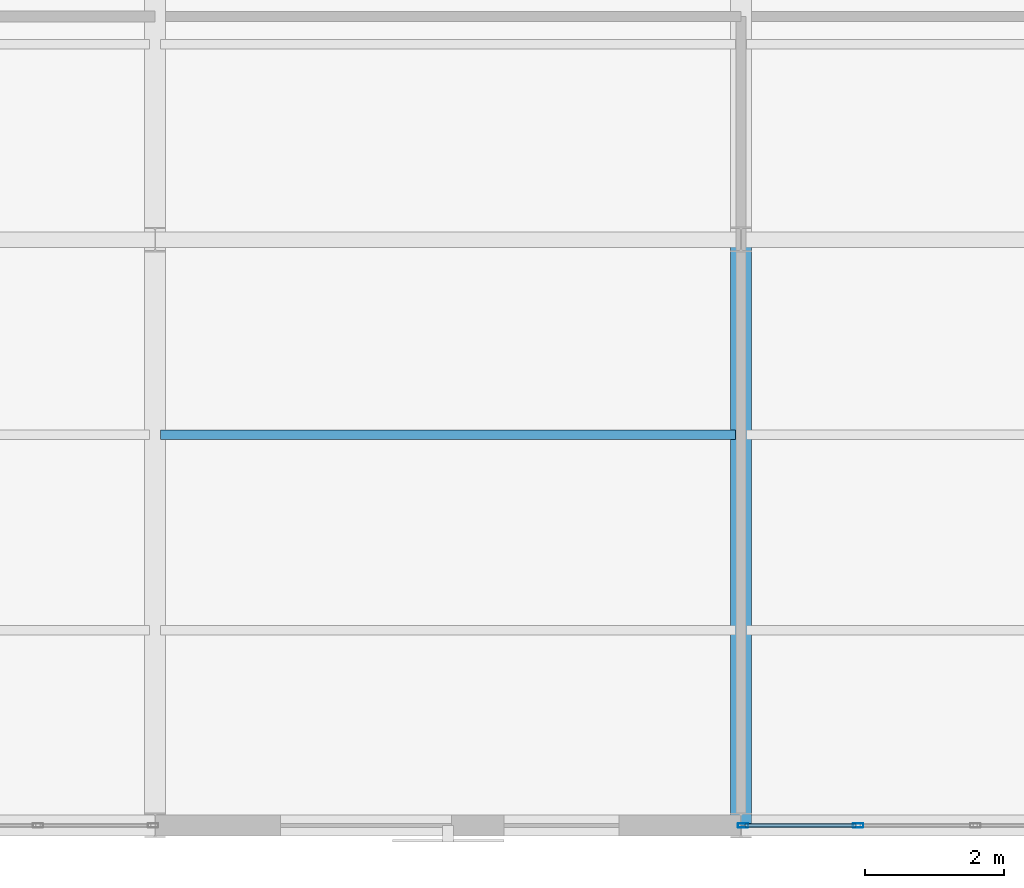
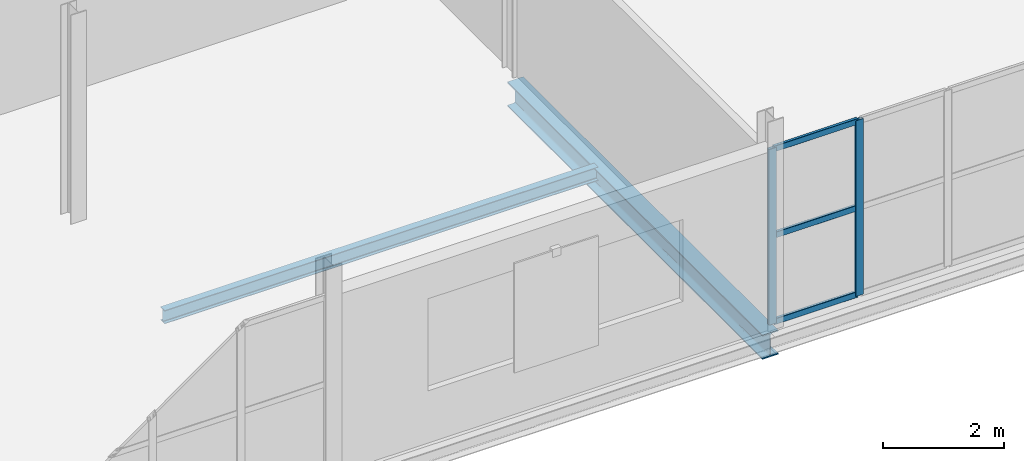
# One storey, part 93 of 163: 5 members, 2 beams, 1 element without a shape of its own.
"""IFC4 building model written with IfcOpenShell, lengths in metres."""

from ifc_helpers import new_model, si_unit, direction, frame, origin, origin_2d, place, context, subcontext, project, spatial, hollow_rectangle, i_section, extrude, material, layer, layer_set, material_profile, profile_set, type_object, element, aggregate, save


model = new_model("IFC4")

# Units and contexts
model_context = context("Model", 3, precision=1e-05, world=origin(), true_north=direction((0.0, 1.0)))
body_context = subcontext(model_context, "Body", "Model", "MODEL_VIEW")
ifc_project = project(units=[si_unit("LENGTHUNIT", "METRE"), si_unit("AREAUNIT", "SQUARE_METRE"), si_unit("VOLUMEUNIT", "CUBIC_METRE"), si_unit("PLANEANGLEUNIT", "RADIAN"), si_unit("MASSUNIT", "GRAM", prefix="KILO")], contexts=[model_context])

# Site, building, storey
site_placement = place(None, origin())
site = spatial("IfcSite", under=ifc_project, at=site_placement, CompositionType="ELEMENT")
building_placement = place(site_placement, origin())
building = spatial("IfcBuilding", under=site, at=building_placement, Name="Qalvenar Corner Mobility Hub", CompositionType="ELEMENT")
storey_placement = place(building_placement, frame((0.0, 0.0, 4.800048828125)))
storey = spatial("IfcBuildingStorey", under=building, at=storey_placement, Name="L01", CompositionType="ELEMENT", Elevation=4.800048828125)

# Beams
ifc_material_1 = material(Name="Steel S355", Category="steel")
ifc_material_profile_1 = material_profile(ifc_material_1, i_section(OverallWidth=0.300048828125, OverallDepth=0.489990234375, WebThickness=0.011962890625, FlangeThickness=0.02294921875, FilletRadius=0.027099609375, at=origin_2d()), Name="HEA500")
ifc_profile_set_1 = profile_set([ifc_material_profile_1], Name="Steel S355")
beam_type_1 = type_object("IfcBeamType", Name="BM-HEA500", PredefinedType="BEAM", material=ifc_profile_set_1)
beam_1_placement = place(storey_placement, frame((134.39990234375, 0.0, -0.425048828125), z_axis=(0.0, 1.0, 0.0), x_axis=(-1.0, 0.0, 0.0)))
element("IfcBeam", 1, at=beam_1_placement, inside=storey, type_object=beam_type_1, Name="Primary Steel Girder GY-1044", PredefinedType="BEAM", context=body_context, shape_type="SweptSolid", body=[
    extrude(i_section(OverallWidth=0.300048828125, OverallDepth=0.489990234375, WebThickness=0.011962890625, FlangeThickness=0.02294921875, FilletRadius=0.027099609375, at=origin_2d()), origin(), (0.0, 0.0, 1.0), 8.39990234375),
])
ifc_material_profile_2 = material_profile(ifc_material_1, i_section(OverallWidth=0.135009765625, OverallDepth=0.27001953125, WebThickness=0.006591796875, FlangeThickness=0.01025390625, FilletRadius=0.014892578125, at=origin_2d()), Name="IPE270")
ifc_profile_set_2 = profile_set([ifc_material_profile_2], Name="Steel S355")
beam_type_2 = type_object("IfcBeamType", Name="BM-JST270", PredefinedType="JOIST", material=ifc_profile_set_2)
beam_2_placement = place(storey_placement, frame((126.077880859375, 5.60009765625, -0.31494140625), z_axis=(1.0, 0.0, 0.0), x_axis=(0.0, 1.0, 0.0)))
element("IfcBeam", 2, at=beam_2_placement, inside=storey, type_object=beam_type_2, Name="Composite Floor Joist J-1099", PredefinedType="JOIST", context=body_context, shape_type="SweptSolid", body=[
    extrude(i_section(OverallWidth=0.135009765625, OverallDepth=0.27001953125, WebThickness=0.006591796875, FlangeThickness=0.01025390625, FilletRadius=0.014892578125, at=origin_2d()), origin(), (0.0, 0.0, 1.0), 8.244140625),
])

# Curtain wall, members
ifc_material_2 = material(Name="Anodised Aluminium and Low-E Glazing", Category="aluminium")
ifc_layer = layer(ifc_material_2, 0.14990234375)
ifc_layer_set = layer_set([ifc_layer], Name="Anodised Aluminium and Low-E Glazing")
curtain_wall_type = type_object("IfcCurtainWallType", Name="CW-WKS-84X44", PredefinedType="NOTDEFINED", material=ifc_layer_set)
curtain_wall_placement = place(storey_placement, origin())
curtain_wall = element("IfcCurtainWall", 3, at=curtain_wall_placement, inside=storey, type_object=curtain_wall_type, Name="Glazed Curtain Wall CW-V6-L01-S3", PredefinedType="NOTDEFINED")
ifc_material_3 = material(Name="Anodised Aluminium 6063-T6", Category="aluminium")
ifc_material_profile_3 = material_profile(ifc_material_3, hollow_rectangle(XDim=0.06005859375, YDim=0.14990234375, WallThickness=0.00390625, InnerFilletRadius=0.00390625, OuterFilletRadius=0.008056640625, at=origin_2d()), Name="RHS150x60x4")
ifc_profile_set_3 = profile_set([ifc_material_profile_3], Name="Anodised Aluminium 6063-T6")
member_type_1 = type_object("IfcMemberType", Name="CW-MUL150", PredefinedType="MULLION", material=ifc_profile_set_3)
member_1_placement = place(storey_placement, frame((134.429931640625, 0.0, 0.0), z_axis=(0.0, 0.0, 1.0), x_axis=(0.0, 1.0, 0.0)))
member_1 = element("IfcMember", 4, at=member_1_placement, type_object=member_type_1, Name="CW-09 mullion 1", PredefinedType="MULLION", context=body_context, shape_type="SweptSolid", body=[
    extrude(hollow_rectangle(XDim=0.06005859375, YDim=0.14990234375, WallThickness=0.00390625, InnerFilletRadius=0.00390625, OuterFilletRadius=0.008056640625, at=origin_2d()), origin(), (0.0, 0.0, 1.0), 3.530029296875),
])
member_2_placement = place(storey_placement, frame((136.080078125, 0.0, 0.0), z_axis=(0.0, 0.0, 1.0), x_axis=(0.0, 1.0, 0.0)))
member_2 = element("IfcMember", 5, at=member_2_placement, type_object=member_type_1, Name="CW-09 mullion 2", PredefinedType="MULLION", context=body_context, shape_type="SweptSolid", body=[
    extrude(hollow_rectangle(XDim=0.06005859375, YDim=0.14990234375, WallThickness=0.00390625, InnerFilletRadius=0.00390625, OuterFilletRadius=0.008056640625, at=origin_2d()), origin(), (0.0, 0.0, 1.0), 3.530029296875),
])
ifc_material_profile_4 = material_profile(ifc_material_3, hollow_rectangle(XDim=0.054931640625, YDim=0.1201171875, WallThickness=0.00341796875, InnerFilletRadius=0.00341796875, OuterFilletRadius=0.007080078125, at=origin_2d()), Name="RHS120x55x3.5")
ifc_profile_set_4 = profile_set([ifc_material_profile_4], Name="Anodised Aluminium 6063-T6")
member_type_2 = type_object("IfcMemberType", Name="CW-TRN120", PredefinedType="USERDEFINED", material=ifc_profile_set_4)
member_3_placement = place(storey_placement, frame((134.4599609375, 0.0, 0.02734375), z_axis=(1.0, 0.0, 0.0), x_axis=(0.0, 1.0, 0.0)))
member_3 = element("IfcMember", 6, at=member_3_placement, type_object=member_type_2, Name="CW-09 transom 1.1", ObjectType="TRANSOM", PredefinedType="USERDEFINED", context=body_context, shape_type="SweptSolid", body=[
    extrude(hollow_rectangle(XDim=0.054931640625, YDim=0.1201171875, WallThickness=0.00341796875, InnerFilletRadius=0.00341796875, OuterFilletRadius=0.007080078125, at=origin_2d()), origin(), (0.0, 0.0, 1.0), 1.590087890625),
])
member_4_placement = place(storey_placement, frame((134.4599609375, 0.0, 1.764892578125), z_axis=(1.0, 0.0, 0.0), x_axis=(0.0, 1.0, 0.0)))
member_4 = element("IfcMember", 7, at=member_4_placement, type_object=member_type_2, Name="CW-09 transom 1.2", ObjectType="TRANSOM", PredefinedType="USERDEFINED", context=body_context, shape_type="SweptSolid", body=[
    extrude(hollow_rectangle(XDim=0.054931640625, YDim=0.1201171875, WallThickness=0.00341796875, InnerFilletRadius=0.00341796875, OuterFilletRadius=0.007080078125, at=origin_2d()), origin(), (0.0, 0.0, 1.0), 1.590087890625),
])
member_5_placement = place(storey_placement, frame((134.4599609375, 0.0, 3.50244140625), z_axis=(1.0, 0.0, 0.0), x_axis=(0.0, 1.0, 0.0)))
member_5 = element("IfcMember", 8, at=member_5_placement, type_object=member_type_2, Name="CW-09 transom 1.3", ObjectType="TRANSOM", PredefinedType="USERDEFINED", context=body_context, shape_type="SweptSolid", body=[
    extrude(hollow_rectangle(XDim=0.054931640625, YDim=0.1201171875, WallThickness=0.00341796875, InnerFilletRadius=0.00341796875, OuterFilletRadius=0.007080078125, at=origin_2d()), origin(), (0.0, 0.0, 1.0), 1.590087890625),
])
aggregate(curtain_wall, [member_1, member_2, member_3, member_4, member_5])

save(model, "model.ifc")
